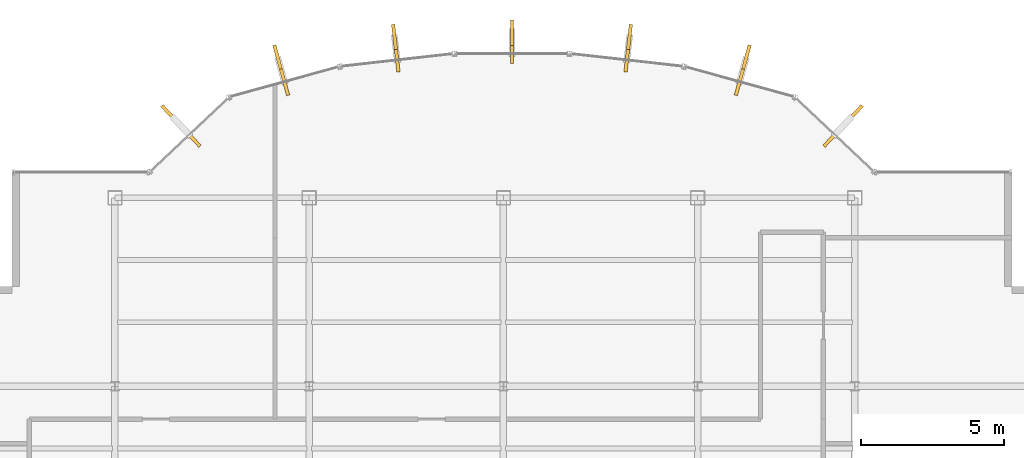
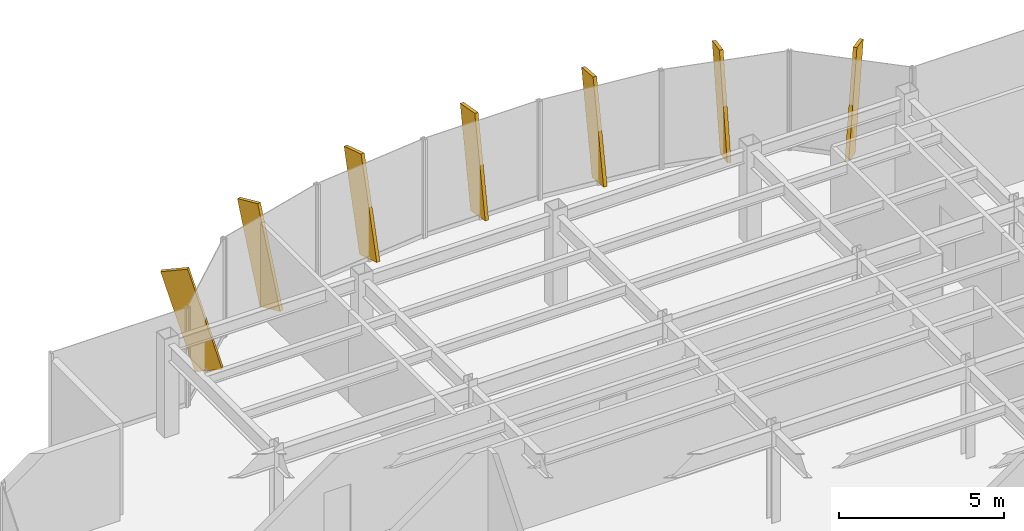
# One storey, part 21 of 22: 7 shading devices.
"""IFC4 building model written with IfcOpenShell, lengths in metres."""

from ifc_helpers import new_model, si_unit, derived_unit, direction, frame, origin, origin_2d, place, context, subcontext, project, spatial, rectangle, extrude, source, transform, mapped, material, type_object, element, save


model = new_model("IFC4")

# Units and contexts
model_context = context("Model", 3, precision=1e-05, world=origin(), true_north=direction((0.0, 1.0)))
body_context = subcontext(model_context, "Body", "Model", "MODEL_VIEW")
ifc_project = project(units=[si_unit("LENGTHUNIT", "METRE"), si_unit("AREAUNIT", "SQUARE_METRE"), si_unit("VOLUMEUNIT", "CUBIC_METRE"), si_unit("PLANEANGLEUNIT", "RADIAN"), si_unit("MASSUNIT", "GRAM", prefix="KILO"), derived_unit("THERMALTRANSMITTANCEUNIT", [(si_unit("POWERUNIT", "WATT"), 1), (si_unit("LENGTHUNIT", "METRE"), -2), (si_unit("THERMODYNAMICTEMPERATUREUNIT", "KELVIN"), -1)])], contexts=[model_context])

# Site, building, storey
site_placement = place(None, origin())
site = spatial("IfcSite", under=ifc_project, at=site_placement, CompositionType="ELEMENT")
building_placement = place(site_placement, origin())
building = spatial("IfcBuilding", under=site, at=building_placement, Name="Skarnbrae Concourse Arena and Tower", CompositionType="ELEMENT")
storey_placement = place(building_placement, frame((0.0, 0.0, 221.449951171875)))
storey = spatial("IfcBuildingStorey", under=building, at=storey_placement, Name="L57", CompositionType="ELEMENT", Elevation=221.449951171875)

# Shading devices
ifc_material = material(Name="Bronze anodised aluminium 6063-T6", Category="aluminium")
shading_device_type = type_object("IfcShadingDeviceType", Name="SHD-BRONZE-FIN-900", PredefinedType="USERDEFINED", material=ifc_material)
shared_shape = source(origin(), body_context, "Body", "SweptSolid", [
    extrude(rectangle(XDim=0.1201171875, YDim=0.89990234375, at=origin_2d()), origin(), (0.0, 0.0, 1.0), 3.64990234375),
])
for number, where, z_axis, x_axis, name in (
    (1, (32.719482421875, 36.522705078125, 0.0830078125), (0.204517004551, 0.217255972062, 0.954448865814), (0.728131751529, -0.685437198009, 0.0), "L57 Outward-leaning bronze shading fin 08"),
    (2, (29.452392578125, 38.40576171875, 0.063720703125), (0.069616483156, 0.252603280643, 0.965062240418), (0.964058316208, -0.265690728011, 0.0), "L57 Outward-leaning bronze shading fin 09"),
    (3, (25.52392578125, 39.2431640625, 0.044189453125), (0.024350376121, 0.217122703093, 0.975840556128), (0.993769864509, -0.111451587667, 0.0), "L57 Outward-leaning bronze shading fin 10"),
    (4, (21.5, 39.5498046875, 0.02783203125), (0.0, 0.173648177667, 0.984807753012), (1.0, 0.0, 0.0), "L57 Outward-leaning bronze shading fin 11"),
    (5, (17.47607421875, 39.2431640625, 0.044189453125), (-0.024350376121, 0.217122703093, 0.975840556128), (0.993769864509, 0.111451587667, 0.0), "L57 Outward-leaning bronze shading fin 12"),
    (6, (13.547607421875, 38.40576171875, 0.063720703125), (-0.069616483156, 0.252603280643, 0.965062240418), (0.964058316208, 0.265690728011, 0.0), "L57 Outward-leaning bronze shading fin 13"),
    (7, (10.280517578125, 36.522705078125, 0.0830078125), (-0.204517004551, 0.217255972062, 0.954448865814), (0.728131751529, 0.685437198009, 0.0), "L57 Outward-leaning bronze shading fin 14"),
):
    element("IfcShadingDevice", number, at=place(storey_placement, frame(where, z_axis=z_axis, x_axis=x_axis)), inside=storey, type_object=shading_device_type, Name=name, ObjectType="FIN", PredefinedType="USERDEFINED", context=body_context, shape_type="MappedRepresentation", body=[
        mapped(shared_shape, transform((0.0, 0.0, 0.0))),
    ])

save(model, "model.ifc")
